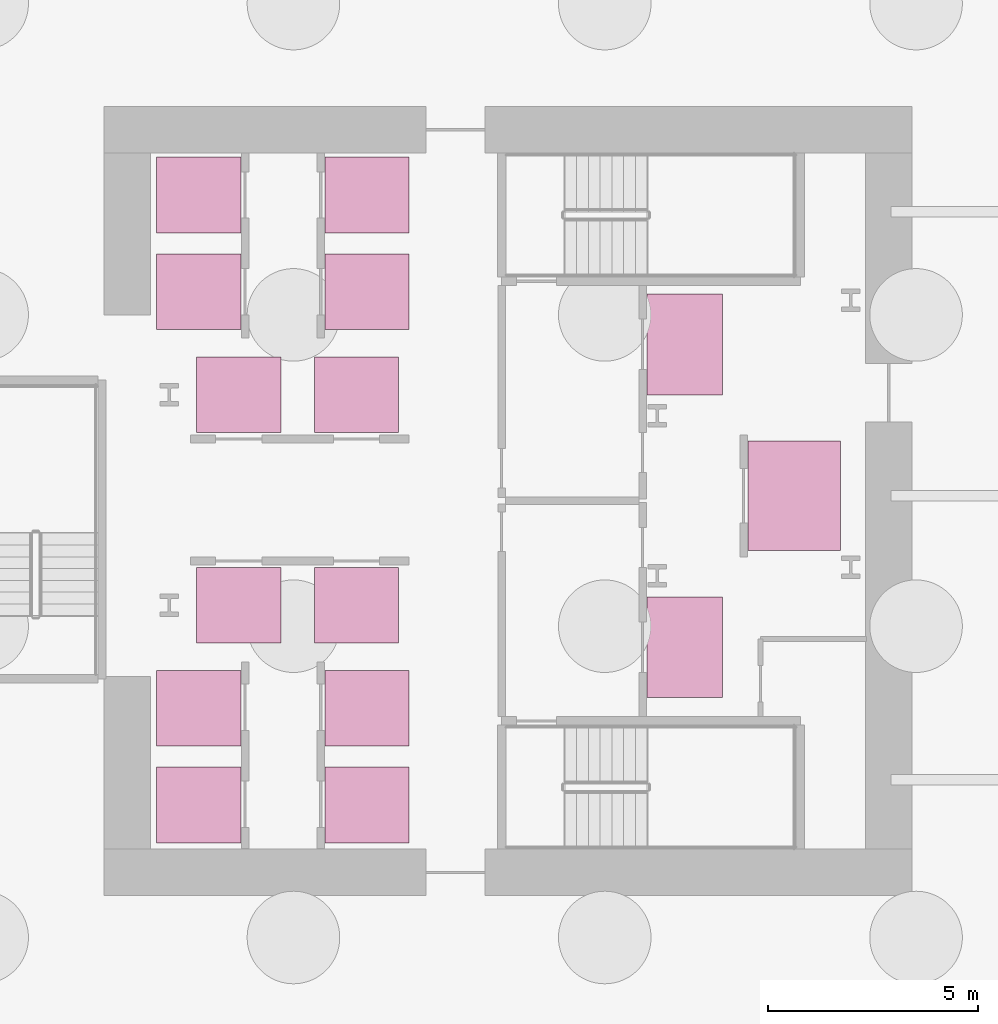
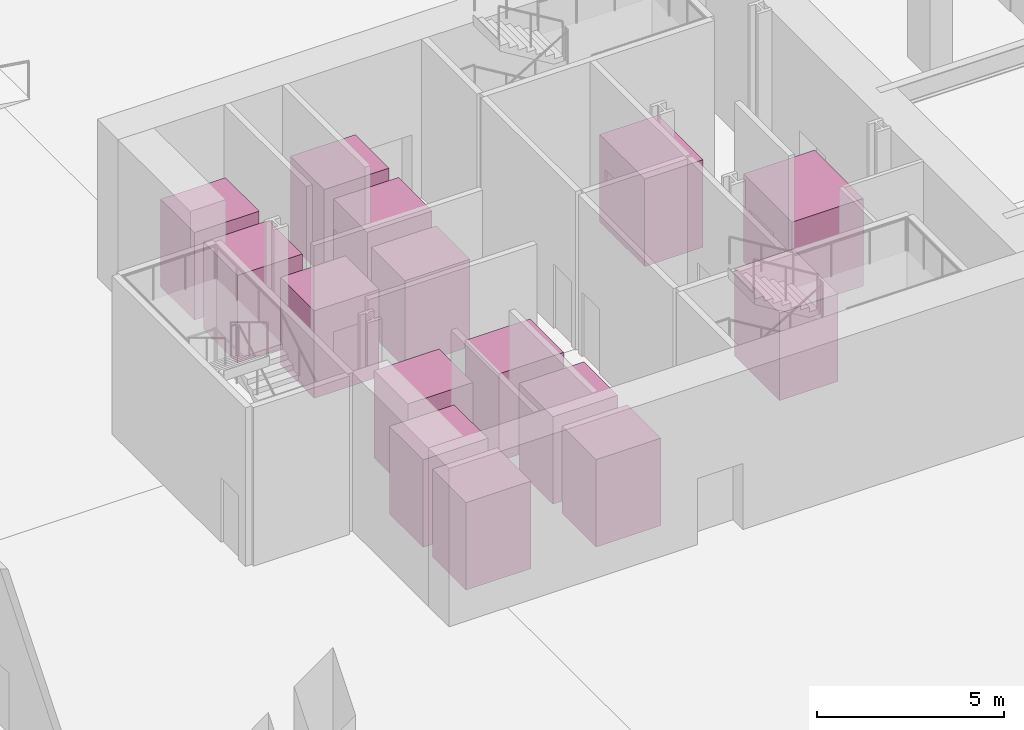
# One storey, part 16 of 16: 15 transport elements.
"""IFC4 building model written with IfcOpenShell, lengths in metres."""

from ifc_helpers import new_model, si_unit, direction, frame, origin, origin_2d, place, context, subcontext, project, spatial, rectangle, extrude, material, type_object, element, save


model = new_model("IFC4")

# Units and contexts
model_context = context("Model", 3, precision=1e-05, world=origin(), true_north=direction((0.0, 1.0)))
body_context = subcontext(model_context, "Body", "Model", "MODEL_VIEW")
ifc_project = project(units=[si_unit("LENGTHUNIT", "METRE"), si_unit("AREAUNIT", "SQUARE_METRE"), si_unit("VOLUMEUNIT", "CUBIC_METRE"), si_unit("PLANEANGLEUNIT", "RADIAN"), si_unit("MASSUNIT", "GRAM", prefix="KILO")], contexts=[model_context])

# Site, building, storey
site_placement = place(None, origin())
site = spatial("IfcSite", under=ifc_project, at=site_placement, CompositionType="ELEMENT")
building_placement = place(site_placement, origin())
building = spatial("IfcBuilding", under=site, at=building_placement, Name="Valkerne Bourse Tower", CompositionType="ELEMENT")
storey_placement = place(building_placement, frame((0.0, 0.0, -5.39990234375)))
storey = spatial("IfcBuildingStorey", under=building, at=storey_placement, Name="B1", CompositionType="ELEMENT", Elevation=-5.39990234375)

# Transport elements
ifc_material = material(Name="Stainless Steel AISI 316", Category="steel")
transport_element_type_1 = type_object("IfcTransportElementType", Name="LFT-FSAE-1800X2400", PredefinedType="ELEVATOR", material=ifc_material)
for number, where, z_axis, x_axis, name in (
    (1, (51.0, 23.39990234375, -0.000244140625), (0.0, 0.0, 1.0), (1.0, 0.0, 0.0), "Elevator Car FSAE-1 (Firefighting)"),
    (2, (51.0, 30.60009765625, -0.000244140625), (0.0, 0.0, 1.0), (1.0, 0.0, 0.0), "Elevator Car FSAE-2 (Firefighting)"),
):
    element("IfcTransportElement", number, at=place(storey_placement, frame(where, z_axis=z_axis, x_axis=x_axis)), inside=storey, type_object=transport_element_type_1, Name=name, PredefinedType="ELEVATOR", context=body_context, shape_type="SweptSolid", body=[
        extrude(rectangle(XDim=1.800048828125, YDim=2.39990234375, at=origin_2d()), origin(), (0.0, 0.0, 1.0), 2.85009765625),
    ])
transport_element_type_2 = type_object("IfcTransportElementType", Name="LFT-PASS-2000X1800", PredefinedType="ELEVATOR", material=ifc_material)
for number, where, z_axis, x_axis, name in (
    (3, (39.449951171875, 19.64990234375, -0.000244140625), (0.0, 0.0, 1.0), (1.0, 0.0, 0.0), "Elevator Car PL-L1 (Low-Rise)"),
    (4, (39.449951171875, 21.949951171875, -0.000244140625), (0.0, 0.0, 1.0), (1.0, 0.0, 0.0), "Elevator Car PL-L2 (Low-Rise)"),
    (5, (43.449951171875, 19.64990234375, -0.000244140625), (0.0, 0.0, 1.0), (1.0, 0.0, 0.0), "Elevator Car PL-L3 (Low-Rise)"),
    (6, (43.449951171875, 21.949951171875, -0.000244140625), (0.0, 0.0, 1.0), (1.0, 0.0, 0.0), "Elevator Car PL-L4 (Low-Rise)"),
    (7, (39.449951171875, 31.85009765625, -0.000244140625), (0.0, 0.0, 1.0), (1.0, 0.0, 0.0), "Elevator Car PL-M1 (Mid-Rise)"),
    (8, (39.449951171875, 34.14990234375, -0.000244140625), (0.0, 0.0, 1.0), (1.0, 0.0, 0.0), "Elevator Car PL-M2 (Mid-Rise)"),
    (9, (43.449951171875, 31.85009765625, -0.000244140625), (0.0, 0.0, 1.0), (1.0, 0.0, 0.0), "Elevator Car PL-M3 (Mid-Rise)"),
    (10, (43.449951171875, 34.14990234375, -0.000244140625), (0.0, 0.0, 1.0), (1.0, 0.0, 0.0), "Elevator Car PL-M4 (Mid-Rise)"),
    (11, (40.39990234375, 24.39990234375, -0.000244140625), (0.0, 0.0, 1.0), (1.0, 0.0, 0.0), "Elevator Car PL-H1 (High-Rise)"),
    (12, (43.199951171875, 24.39990234375, -0.000244140625), (0.0, 0.0, 1.0), (1.0, 0.0, 0.0), "Elevator Car PL-H2 (High-Rise)"),
    (13, (40.39990234375, 29.39990234375, -0.000244140625), (0.0, 0.0, 1.0), (1.0, 0.0, 0.0), "Elevator Car PL-H3 (High-Rise)"),
    (14, (43.199951171875, 29.39990234375, -0.000244140625), (0.0, 0.0, 1.0), (1.0, 0.0, 0.0), "Elevator Car PL-H4 (High-Rise)"),
):
    element("IfcTransportElement", number, at=place(storey_placement, frame(where, z_axis=z_axis, x_axis=x_axis)), inside=storey, type_object=transport_element_type_2, Name=name, PredefinedType="ELEVATOR", context=body_context, shape_type="SweptSolid", body=[
        extrude(rectangle(XDim=2.0, YDim=1.800048828125, at=origin_2d()), origin(), (0.0, 0.0, 1.0), 2.85009765625),
    ])
transport_element_type_3 = type_object("IfcTransportElementType", Name="LFT-SRV-2200X2600", PredefinedType="ELEVATOR", material=ifc_material)
transport_element_placement = place(storey_placement, frame((53.60009765625, 27.0, -0.000244140625), z_axis=(0.0, 0.0, 1.0), x_axis=(1.0, 0.0, 0.0)))
element("IfcTransportElement", 15, at=transport_element_placement, inside=storey, type_object=transport_element_type_3, Name="Elevator Car SV-1 (Service)", PredefinedType="ELEVATOR", context=body_context, shape_type="SweptSolid", body=[
    extrude(rectangle(XDim=2.199951171875, YDim=2.60009765625, at=origin_2d()), origin(), (0.0, 0.0, 1.0), 2.85009765625),
])

save(model, "model.ifc")
